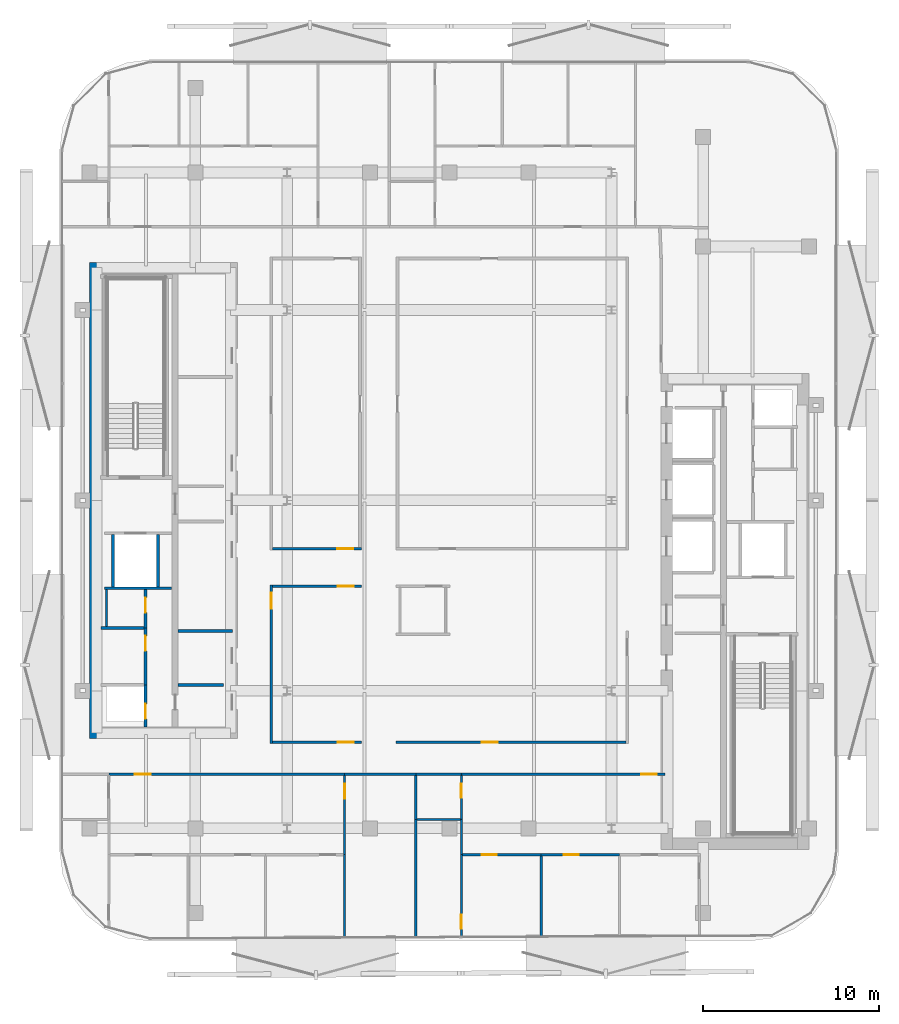
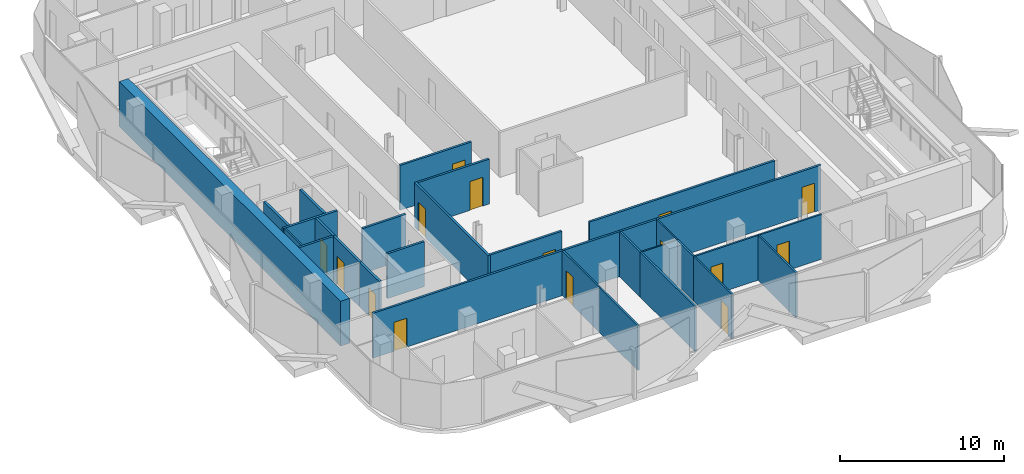
# One storey, part 3 of 14: 31 walls, 15 doors, 15 openings.
"""IFC4 building model written with IfcOpenShell, lengths in metres."""

from ifc_helpers import new_model, si_unit, direction, frame, frame_2d, origin, place, context, subcontext, project, spatial, rectangle, extrude, material, layer, layer_set, type_object, element, fill, save


model = new_model("IFC4")

# Units and contexts
model_context = context("Model", 3, precision=1e-05, world=origin(), true_north=direction((0.0, 1.0)))
body_context = subcontext(model_context, "Body", "Model", "MODEL_VIEW")
ifc_project = project(units=[si_unit("LENGTHUNIT", "METRE"), si_unit("AREAUNIT", "SQUARE_METRE"), si_unit("VOLUMEUNIT", "CUBIC_METRE"), si_unit("PLANEANGLEUNIT", "RADIAN"), si_unit("MASSUNIT", "GRAM", prefix="KILO")], contexts=[model_context])

# Site, building, storey
site_placement = place(None, origin())
site = spatial("IfcSite", under=ifc_project, at=site_placement, CompositionType="ELEMENT")
building_placement = place(site_placement, origin())
building = spatial("IfcBuilding", under=site, at=building_placement, Name="Khairoan Windgate Tower", CompositionType="ELEMENT")
storey_placement = place(building_placement, frame((0.0, 0.0, 229.60009765625)))
storey = spatial("IfcBuildingStorey", under=building, at=storey_placement, Name="L53", CompositionType="ELEMENT", Elevation=229.60009765625)

# Wall
ifc_material_1 = material(Name="Moisture-Resistant Gypsum Partition", Category="gypsum")
ifc_layer_1 = layer(ifc_material_1, 0.10009765625, Name="Moisture-Resistant Gypsum Partition")
ifc_layer_set_1 = layer_set([ifc_layer_1], Name="Moisture-Resistant Gypsum Partition")
wall_type_1 = type_object("IfcWallType", Name="Bathroom Wet-Area Partition Wall", PredefinedType="PARTITIONING", material=ifc_layer_set_1)
wall_1_placement = place(storey_placement, frame((-1.830078125, -18.10009765625, 0.0), z_axis=(0.0, 0.0, 1.0), x_axis=(1.0, 0.0, 0.0)))
element("IfcWall", 1, at=wall_1_placement, inside=storey, type_object=wall_type_1, Name="L53 Interior Partition 078", PredefinedType="PARTITIONING", context=body_context, shape_type="SweptSolid", body=[
    extrude(rectangle(XDim=2.469970703125, YDim=0.10009765625, at=frame_2d((1.23486328125, 0.0))), origin(), (0.0, 0.0, 1.0), 3.33984375),
])

# Wall, opening, door
wall_2_placement = place(storey_placement, frame((0.68994140625, -18.10009765625, 0.0), z_axis=(0.0, 0.0, 1.0), x_axis=(0.0, 1.0, 0.0)))
wall_2 = element("IfcWall", 2, at=wall_2_placement, inside=storey, type_object=wall_type_1, Name="L53 Interior Partition 079", PredefinedType="PARTITIONING", context=body_context, shape_type="SweptSolid", body=[
    extrude(rectangle(XDim=2.5, YDim=0.10009765625, at=frame_2d((1.25, 0.0))), origin(), (0.0, 0.0, 1.0), 3.33984375),
])
opening_1_placement = place(wall_2_placement, frame((1.239990234375, 0.0, 0.0)))
opening_1 = element("IfcOpeningElement", 3, at=opening_1_placement, cuts=wall_2, Name="Opening ID-BTH", PredefinedType="OPENING", context=body_context, shape_type="SweptSolid", body=[
    extrude(rectangle(XDim=0.800048828125, YDim=2.10009765625, at=frame_2d((0.39990234375, 1.050048828125))), frame((0.0, 0.06005859375, 0.0), z_axis=(0.0, -1.0, 0.0), x_axis=(1.0, 0.0, 0.0)), (0.0, 0.0, 1.0), 0.1201171875),
])
ifc_material_2 = material(Name="Teak Veneer Timber Leaf", Category="wood")
door_type_1 = type_object("IfcDoorType", Name="Internal Bathroom Door ID-BTH 800x2100", OperationType="NOTDEFINED", PredefinedType="DOOR", material=ifc_material_2)
door_1_placement = place(opening_1_placement, origin())
door_1 = element("IfcDoor", 4, at=door_1_placement, inside=storey, type_object=door_type_1, Name="L53 L53-54-L53-56 Door", OperationType="SINGLE_SWING_RIGHT", OverallHeight=2.10009765625, OverallWidth=0.800048828125, PredefinedType="DOOR", context=body_context, shape_type="SweptSolid", body=[
    extrude(rectangle(XDim=0.800048828125, YDim=2.10009765625, at=frame_2d((0.39990234375, 1.050048828125))), frame((0.0, 0.02490234375, 0.0), z_axis=(0.0, -1.0, 0.0), x_axis=(1.0, 0.0, 0.0)), (0.0, 0.0, 1.0), 0.050048828125),
])
fill(opening_1, door_1)

# Walls
wall_3_placement = place(storey_placement, frame((-19.449951171875, -7.14990234375, 0.0), z_axis=(0.0, 0.0, 1.0), x_axis=(0.0, 1.0, 0.0)))
element("IfcWall", 5, at=wall_3_placement, inside=storey, type_object=wall_type_1, Name="L53 Wet Room Side Wall 089", PredefinedType="PARTITIONING", context=body_context, shape_type="SweptSolid", body=[
    extrude(rectangle(XDim=2.08984375, YDim=0.10009765625, at=frame_2d((1.044921875, 0.0))), origin(), (0.0, 0.0, 1.0), 3.33984375),
])
ifc_material_3 = material(Name="Concrete C40/50", Category="concrete")
ifc_layer_2 = layer(ifc_material_3, 0.159912109375, Name="Concrete C40/50")
ifc_layer_set_2 = layer_set([ifc_layer_2], Name="Concrete C40/50")
wall_type_2 = type_object("IfcWallType", Name="Core and Hoistway Enclosure Wall", PredefinedType="STANDARD", material=ifc_layer_set_2)
wall_4_placement = place(storey_placement, frame((-19.550048828125, -4.97998046875, 0.0), z_axis=(0.0, 0.0, 1.0), x_axis=(1.0, 0.0, 0.0)))
element("IfcWall", 6, at=wall_4_placement, inside=storey, type_object=wall_type_2, Name="L53 Core Shaft Wall SW-FL2B-L53", PredefinedType="STANDARD", context=body_context, shape_type="SweptSolid", body=[
    extrude(rectangle(XDim=3.800048828125, YDim=0.159912109375, at=frame_2d((1.89990234375, 0.0))), origin(), (0.0, 0.0, 1.0), 3.33984375),
])
for number, where, z_axis, x_axis, name in (
    (7, (-19.080078125, -4.89990234375, 0.0), (0.0, 0.0, 1.0), (0.0, 1.0, 0.0), "L53 Core Shaft Wall SW-FL2W-L53"),
    (8, (-16.52001953125, -4.89990234375, 0.0), (0.0, 0.0, 1.0), (0.0, 1.0, 0.0), "L53 Core Shaft Wall SW-FL2E-L53"),
):
    element("IfcWall", number, at=place(storey_placement, frame(where, z_axis=z_axis, x_axis=x_axis)), inside=storey, type_object=wall_type_2, Name=name, PredefinedType="STANDARD", context=body_context, shape_type="SweptSolid", body=[
        extrude(rectangle(XDim=2.9599609375, YDim=0.159912109375, at=frame_2d((1.47998046875, 0.0))), origin(), (0.0, 0.0, 1.0), 3.33984375),
    ])
wall_5_placement = place(storey_placement, frame((-15.39990234375, -10.47998046875, 0.0), z_axis=(0.0, 0.0, 1.0), x_axis=(1.0, 0.0, 0.0)))
element("IfcWall", 9, at=wall_5_placement, inside=storey, type_object=wall_type_2, Name="L53 Core Shaft Wall SW-WSV-L53", PredefinedType="STANDARD", context=body_context, shape_type="SweptSolid", body=[
    extrude(rectangle(XDim=2.599853515625, YDim=0.159912109375, at=frame_2d((1.2998046875, 0.0))), origin(), (0.0, 0.0, 1.0), 3.33984375),
])
ifc_material_4 = material(Name="Acoustic Fire-Rated Gypsum Partition", Category="gypsum")
ifc_layer_3 = layer(ifc_material_4, 0.139892578125, Name="Acoustic Fire-Rated Gypsum Partition")
ifc_layer_set_3 = layer_set([ifc_layer_3], Name="Acoustic Fire-Rated Gypsum Partition")
wall_type_3 = type_object("IfcWallType", Name="Inter-Tenancy Compartment Wall", PredefinedType="PARTITIONING", material=ifc_layer_set_3)
wall_6_placement = place(storey_placement, frame((-1.89990234375, -18.10009765625, 0.0), z_axis=(0.0, 0.0, 1.0), x_axis=(0.0, 1.0, 0.0)))
element("IfcWall", 10, at=wall_6_placement, inside=storey, type_object=wall_type_3, Name="L53 Interior Partition 074", PredefinedType="PARTITIONING", context=body_context, shape_type="SweptSolid", body=[
    extrude(rectangle(XDim=2.5, YDim=0.139892578125, at=frame_2d((1.25, 0.0))), origin(), (0.0, 0.0, 1.0), 3.33984375),
])
wall_7_placement = place(storey_placement, frame((-1.89990234375, -24.7822265625, 0.0), z_axis=(0.0, 0.0, 1.0), x_axis=(0.0, 1.0, 0.0)))
element("IfcWall", 11, at=wall_7_placement, inside=storey, type_object=wall_type_3, Name="L53 Interior Partition 075", PredefinedType="PARTITIONING", context=body_context, shape_type="SweptSolid", body=[
    extrude(rectangle(XDim=6.68212890625, YDim=0.139892578125, at=frame_2d((3.341064453125, 0.0))), origin(), (0.0, 0.0, 1.0), 3.33984375),
])

# Wall, opening, door
ifc_material_5 = material(Name="Gypsum Stud Partition", Category="gypsum")
ifc_layer_4 = layer(ifc_material_5, 0.1201171875, Name="Gypsum Stud Partition")
ifc_layer_set_4 = layer_set([ifc_layer_4], Name="Gypsum Stud Partition")
wall_type_4 = type_object("IfcWallType", Name="Internal Room Partition Wall", PredefinedType="PARTITIONING", material=ifc_layer_set_4)
wall_8_placement = place(storey_placement, frame((-5.93994140625, -20.10009765625, 0.0), z_axis=(0.0, 0.0, 1.0), x_axis=(0.0, 1.0, 0.0)))
wall_8 = element("IfcWall", 12, at=wall_8_placement, inside=storey, type_object=wall_type_4, Name="L53 Interior Partition 069", PredefinedType="PARTITIONING", context=body_context, shape_type="SweptSolid", body=[
    extrude(rectangle(XDim=4.5, YDim=0.1201171875, at=frame_2d((2.25, 0.0))), origin(), (0.0, 0.0, 1.0), 3.33984375),
])
opening_2_placement = place(wall_8_placement, frame((3.179931640625, 0.0, 0.0)))
opening_2 = element("IfcOpeningElement", 13, at=opening_2_placement, cuts=wall_8, Name="Opening ID-RM", PredefinedType="OPENING", context=body_context, shape_type="SweptSolid", body=[
    extrude(rectangle(XDim=0.860107421875, YDim=2.14990234375, at=frame_2d((0.43017578125, 1.074951171875))), frame((0.0, 0.070068359375, 0.0), z_axis=(0.0, -1.0, 0.0), x_axis=(1.0, 0.0, 0.0)), (0.0, 0.0, 1.0), 0.14013671875),
])
ifc_material_6 = material(Name="Teak Veneer Timber Leaf", Category="wood")
door_type_2 = type_object("IfcDoorType", Name="Internal Bedroom and Office Door ID-RM 860x2150", OperationType="NOTDEFINED", PredefinedType="DOOR", material=ifc_material_6)
door_2_placement = place(opening_2_placement, origin())
door_2 = element("IfcDoor", 14, at=door_2_placement, inside=storey, type_object=door_type_2, Name="L53 L53-49-L53-50 Door", OperationType="SINGLE_SWING_RIGHT", OverallHeight=2.14990234375, OverallWidth=0.860107421875, PredefinedType="DOOR", context=body_context, shape_type="SweptSolid", body=[
    extrude(rectangle(XDim=0.860107421875, YDim=2.14990234375, at=frame_2d((0.43017578125, 1.074951171875))), frame((0.0, 0.02490234375, 0.0), z_axis=(0.0, -1.0, 0.0), x_axis=(1.0, 0.0, 0.0)), (0.0, 0.0, 1.0), 0.050048828125),
])
fill(opening_2, door_2)

# Walls
wall_9_placement = place(storey_placement, frame((-5.93994140625, -24.8017578125, 0.0), z_axis=(0.0, 0.0, 1.0), x_axis=(0.0, 1.0, 0.0)))
element("IfcWall", 15, at=wall_9_placement, inside=storey, type_object=wall_type_4, Name="L53 Interior Partition 073", PredefinedType="PARTITIONING", context=body_context, shape_type="SweptSolid", body=[
    extrude(rectangle(XDim=4.70166015625, YDim=0.1201171875, at=frame_2d((2.350830078125, 0.0))), origin(), (0.0, 0.0, 1.0), 3.33984375),
])
wall_10_placement = place(storey_placement, frame((0.68994140625, -20.10009765625, 0.0), z_axis=(0.0, 0.0, 1.0), x_axis=(0.0, 1.0, 0.0)))
element("IfcWall", 16, at=wall_10_placement, inside=storey, type_object=wall_type_4, Name="L53 Interior Partition 080", PredefinedType="PARTITIONING", context=body_context, shape_type="SweptSolid", body=[
    extrude(rectangle(XDim=2.0, YDim=0.1201171875, at=frame_2d((1.0, 0.0))), origin(), (0.0, 0.0, 1.0), 3.33984375),
])

# Wall, opening, door
wall_11_placement = place(storey_placement, frame((0.68994140625, -24.769775390625, 0.0), z_axis=(0.0, 0.0, 1.0), x_axis=(0.0, 1.0, 0.0)))
wall_11 = element("IfcWall", 17, at=wall_11_placement, inside=storey, type_object=wall_type_4, Name="L53 Interior Partition 081", PredefinedType="PARTITIONING", context=body_context, shape_type="SweptSolid", body=[
    extrude(rectangle(XDim=4.669677734375, YDim=0.1201171875, at=frame_2d((2.3349609375, 0.0))), origin(), (0.0, 0.0, 1.0), 3.33984375),
])
opening_3_placement = place(wall_11_placement, frame((0.4599609375, 0.0, 0.0)))
opening_3 = element("IfcOpeningElement", 18, at=opening_3_placement, cuts=wall_11, Name="Opening ID-BTH", PredefinedType="OPENING", context=body_context, shape_type="SweptSolid", body=[
    extrude(rectangle(XDim=0.800048828125, YDim=2.10009765625, at=frame_2d((0.39990234375, 1.050048828125))), frame((0.0, 0.070068359375, 0.0), z_axis=(0.0, -1.0, 0.0), x_axis=(1.0, 0.0, 0.0)), (0.0, 0.0, 1.0), 0.14013671875),
])
door_3_placement = place(opening_3_placement, origin())
door_3 = element("IfcDoor", 19, at=door_3_placement, inside=storey, type_object=door_type_1, Name="L53 L53-55-L53-58 Door", OperationType="SINGLE_SWING_RIGHT", OverallHeight=2.10009765625, OverallWidth=0.800048828125, PredefinedType="DOOR", context=body_context, shape_type="SweptSolid", body=[
    extrude(rectangle(XDim=0.800048828125, YDim=2.10009765625, at=frame_2d((0.39990234375, 1.050048828125))), frame((0.0, 0.02490234375, 0.0), z_axis=(0.0, -1.0, 0.0), x_axis=(1.0, 0.0, 0.0)), (0.0, 0.0, 1.0), 0.050048828125),
])
fill(opening_3, door_3)

wall_12_placement = place(storey_placement, frame((0.75, -20.10009765625, 0.0), z_axis=(0.0, 0.0, 1.0), x_axis=(1.0, 0.0, 0.0)))
wall_12 = element("IfcWall", 20, at=wall_12_placement, inside=storey, type_object=wall_type_4, Name="L53 Interior Partition 082", PredefinedType="PARTITIONING", context=body_context, shape_type="SweptSolid", body=[
    extrude(rectangle(XDim=4.467041015625, YDim=0.1201171875, at=frame_2d((2.2333984375, 0.0))), origin(), (0.0, 0.0, 1.0), 3.33984375),
])
opening_4_placement = place(wall_12_placement, frame((1.080078125, 0.0, 0.0)))
opening_4 = element("IfcOpeningElement", 21, at=opening_4_placement, cuts=wall_12, Name="Opening ID-RM", PredefinedType="OPENING", context=body_context, shape_type="SweptSolid", body=[
    extrude(rectangle(XDim=0.860107421875, YDim=2.14990234375, at=frame_2d((0.43017578125, 1.074951171875))), frame((0.0, 0.070068359375, 0.0), z_axis=(0.0, -1.0, 0.0), x_axis=(1.0, 0.0, 0.0)), (0.0, 0.0, 1.0), 0.14013671875),
])
door_4_placement = place(opening_4_placement, origin())
door_4 = element("IfcDoor", 22, at=door_4_placement, inside=storey, type_object=door_type_2, Name="L53 L53-56-L53-58 Door", OperationType="SINGLE_SWING_RIGHT", OverallHeight=2.14990234375, OverallWidth=0.860107421875, PredefinedType="DOOR", context=body_context, shape_type="SweptSolid", body=[
    extrude(rectangle(XDim=0.860107421875, YDim=2.14990234375, at=frame_2d((0.43017578125, 1.074951171875))), frame((0.0, 0.02490234375, 0.0), z_axis=(0.0, -1.0, 0.0), x_axis=(1.0, 0.0, 0.0)), (0.0, 0.0, 1.0), 0.050048828125),
])
fill(opening_4, door_4)

wall_13_placement = place(storey_placement, frame((5.217041015625, -20.10009765625, 0.0), z_axis=(0.0, 0.0, 1.0), x_axis=(1.0, 0.0, 0.0)))
wall_13 = element("IfcWall", 23, at=wall_13_placement, inside=storey, type_object=wall_type_4, Name="L53 Interior Partition 083", PredefinedType="PARTITIONING", context=body_context, shape_type="SweptSolid", body=[
    extrude(rectangle(XDim=4.446044921875, YDim=0.1201171875, at=frame_2d((2.22314453125, 0.0))), origin(), (0.0, 0.0, 1.0), 3.33984375),
])
opening_5_placement = place(wall_13_placement, frame((1.2802734375, 0.0, 0.0)))
opening_5 = element("IfcOpeningElement", 24, at=opening_5_placement, cuts=wall_13, Name="Opening ID-RM", PredefinedType="OPENING", context=body_context, shape_type="SweptSolid", body=[
    extrude(rectangle(XDim=0.860107421875, YDim=2.14990234375, at=frame_2d((0.43017578125, 1.074951171875))), frame((0.0, 0.070068359375, 0.0), z_axis=(0.0, -1.0, 0.0), x_axis=(1.0, 0.0, 0.0)), (0.0, 0.0, 1.0), 0.14013671875),
])
door_5_placement = place(opening_5_placement, origin())
door_5 = element("IfcDoor", 25, at=door_5_placement, inside=storey, type_object=door_type_2, Name="L53 L53-56-L53-59 Door", OperationType="SINGLE_SWING_LEFT", OverallHeight=2.14990234375, OverallWidth=0.860107421875, PredefinedType="DOOR", context=body_context, shape_type="SweptSolid", body=[
    extrude(rectangle(XDim=0.860107421875, YDim=2.14990234375, at=frame_2d((0.43017578125, 1.074951171875))), frame((0.0, 0.02490234375, 0.0), z_axis=(0.0, -1.0, 0.0), x_axis=(1.0, 0.0, 0.0)), (0.0, 0.0, 1.0), 0.050048828125),
])
fill(opening_5, door_5)

# Wall
wall_14_placement = place(storey_placement, frame((5.217041015625, -24.747802734375, 0.0), z_axis=(0.0, 0.0, 1.0), x_axis=(0.0, 1.0, 0.0)))
element("IfcWall", 26, at=wall_14_placement, inside=storey, type_object=wall_type_4, Name="L53 Interior Partition 086", PredefinedType="PARTITIONING", context=body_context, shape_type="SweptSolid", body=[
    extrude(rectangle(XDim=4.587890625, YDim=0.1201171875, at=frame_2d((2.2939453125, 0.0))), origin(), (0.0, 0.0, 1.0), 3.33984375),
])

# Wall, opening, door
ifc_material_7 = material(Name="Concrete C40/50", Category="concrete")
ifc_layer_5 = layer(ifc_material_7, 0.159912109375, Name="Concrete C40/50")
ifc_layer_set_5 = layer_set([ifc_layer_5], Name="Concrete C40/50")
wall_type_5 = type_object("IfcWallType", Name="Plant and Refuge Compartment Wall", PredefinedType="PARTITIONING", material=ifc_layer_set_5)
wall_15_placement = place(storey_placement, frame((-17.22998046875, -12.85009765625, 0.0), z_axis=(0.0, 0.0, 1.0), x_axis=(0.0, 1.0, 0.0)))
wall_15 = element("IfcWall", 27, at=wall_15_placement, inside=storey, type_object=wall_type_5, Name="L53 Interior Partition 001", PredefinedType="PARTITIONING", context=body_context, shape_type="SweptSolid", body=[
    extrude(rectangle(XDim=2.380126953125, YDim=0.159912109375, at=frame_2d((1.18994140625, 0.0))), origin(), (0.0, 0.0, 1.0), 3.33984375),
])
opening_6_placement = place(wall_15_placement, frame((0.4599609375, 0.0, 0.0)))
opening_6 = element("IfcOpeningElement", 28, at=opening_6_placement, cuts=wall_15, Name="Opening FD-SRV", PredefinedType="OPENING", context=body_context, shape_type="SweptSolid", body=[
    extrude(rectangle(XDim=0.85009765625, YDim=2.10009765625, at=frame_2d((0.425048828125, 1.050048828125))), frame((0.0, 0.08984375, 0.0), z_axis=(0.0, -1.0, 0.0), x_axis=(1.0, 0.0, 0.0)), (0.0, 0.0, 1.0), 0.179931640625),
])
ifc_material_8 = material(Name="Steel S355", Category="steel")
door_type_3 = type_object("IfcDoorType", Name="Core Service and Riser Fire Door FD-SRV 850x2100", OperationType="NOTDEFINED", PredefinedType="DOOR", material=ifc_material_8)
door_6_placement = place(opening_6_placement, origin())
door_6 = element("IfcDoor", 29, at=door_6_placement, inside=storey, type_object=door_type_3, Name="L53 L53-04-L53-05 Door", OperationType="SINGLE_SWING_RIGHT", OverallHeight=2.10009765625, OverallWidth=0.85009765625, PredefinedType="DOOR", context=body_context, shape_type="SweptSolid", body=[
    extrude(rectangle(XDim=0.85009765625, YDim=2.10009765625, at=frame_2d((0.425048828125, 1.050048828125))), frame((0.0, 0.02490234375, 0.0), z_axis=(0.0, -1.0, 0.0), x_axis=(1.0, 0.0, 0.0)), (0.0, 0.0, 1.0), 0.050048828125),
])
fill(opening_6, door_6)

wall_16_placement = place(storey_placement, frame((-17.22998046875, -7.22998046875, 0.0), z_axis=(0.0, 0.0, 1.0), x_axis=(0.0, 1.0, 0.0)))
wall_16 = element("IfcWall", 30, at=wall_16_placement, inside=storey, type_object=wall_type_5, Name="L53 Interior Partition 002", PredefinedType="PARTITIONING", context=body_context, shape_type="SweptSolid", body=[
    extrude(rectangle(XDim=2.169921875, YDim=0.159912109375, at=frame_2d((1.0849609375, 0.0))), origin(), (0.0, 0.0, 1.0), 3.33984375),
])
opening_7_placement = place(wall_16_placement, frame((0.860107421875, 0.0, 0.0)))
opening_7 = element("IfcOpeningElement", 31, at=opening_7_placement, cuts=wall_16, Name="Opening FD-SRV", PredefinedType="OPENING", context=body_context, shape_type="SweptSolid", body=[
    extrude(rectangle(XDim=0.85009765625, YDim=2.10009765625, at=frame_2d((0.425048828125, 1.050048828125))), frame((0.0, 0.08984375, 0.0), z_axis=(0.0, -1.0, 0.0), x_axis=(1.0, 0.0, 0.0)), (0.0, 0.0, 1.0), 0.179931640625),
])
door_7_placement = place(opening_7_placement, origin())
door_7 = element("IfcDoor", 32, at=door_7_placement, inside=storey, type_object=door_type_3, Name="L53 L53-04-L53-06 Door", OperationType="SINGLE_SWING_LEFT", OverallHeight=2.10009765625, OverallWidth=0.85009765625, PredefinedType="DOOR", context=body_context, shape_type="SweptSolid", body=[
    extrude(rectangle(XDim=0.85009765625, YDim=2.10009765625, at=frame_2d((0.425048828125, 1.050048828125))), frame((0.0, 0.02490234375, 0.0), z_axis=(0.0, -1.0, 0.0), x_axis=(1.0, 0.0, 0.0)), (0.0, 0.0, 1.0), 0.050048828125),
])
fill(opening_7, door_7)

wall_17_placement = place(storey_placement, frame((-17.22998046875, -10.469970703125, 0.0), z_axis=(0.0, 0.0, 1.0), x_axis=(0.0, 1.0, 0.0)))
wall_17 = element("IfcWall", 33, at=wall_17_placement, inside=storey, type_object=wall_type_5, Name="L53 Interior Partition 003", PredefinedType="PARTITIONING", context=body_context, shape_type="SweptSolid", body=[
    extrude(rectangle(XDim=3.239990234375, YDim=0.159912109375, at=frame_2d((1.6201171875, 0.0))), origin(), (0.0, 0.0, 1.0), 3.33984375),
])
opening_8_placement = place(wall_17_placement, frame((1.929931640625, 0.0, 0.0)))
opening_8 = element("IfcOpeningElement", 34, at=opening_8_placement, cuts=wall_17, Name="Opening FD-SRV", PredefinedType="OPENING", context=body_context, shape_type="SweptSolid", body=[
    extrude(rectangle(XDim=0.85009765625, YDim=2.10009765625, at=frame_2d((0.425048828125, 1.050048828125))), frame((0.0, 0.08984375, 0.0), z_axis=(0.0, -1.0, 0.0), x_axis=(1.0, 0.0, 0.0)), (0.0, 0.0, 1.0), 0.179931640625),
])
door_8_placement = place(opening_8_placement, origin())
door_8 = element("IfcDoor", 35, at=door_8_placement, inside=storey, type_object=door_type_3, Name="L53 L53-04-L53-07 Door", OperationType="SINGLE_SWING_RIGHT", OverallHeight=2.10009765625, OverallWidth=0.85009765625, PredefinedType="DOOR", context=body_context, shape_type="SweptSolid", body=[
    extrude(rectangle(XDim=0.85009765625, YDim=2.10009765625, at=frame_2d((0.425048828125, 1.050048828125))), frame((0.0, 0.02490234375, 0.0), z_axis=(0.0, -1.0, 0.0), x_axis=(1.0, 0.0, 0.0)), (0.0, 0.0, 1.0), 0.050048828125),
])
fill(opening_8, door_8)

# Walls
wall_18_placement = place(storey_placement, frame((-19.75, -7.22998046875, 0.0), z_axis=(0.0, 0.0, 1.0), x_axis=(1.0, 0.0, 0.0)))
element("IfcWall", 36, at=wall_18_placement, inside=storey, type_object=wall_type_5, Name="L53 Interior Partition 005", PredefinedType="PARTITIONING", context=body_context, shape_type="SweptSolid", body=[
    extrude(rectangle(XDim=2.43994140625, YDim=0.159912109375, at=frame_2d((1.219970703125, 0.0))), origin(), (0.0, 0.0, 1.0), 3.33984375),
])
wall_19_placement = place(storey_placement, frame((-15.375, -7.39990234375, 0.0), z_axis=(0.0, 0.0, 1.0), x_axis=(1.0, 0.0, 0.0)))
element("IfcWall", 37, at=wall_19_placement, inside=storey, type_object=wall_type_5, Name="L53 Interior Partition 007", PredefinedType="PARTITIONING", context=body_context, shape_type="SweptSolid", body=[
    extrude(rectangle(XDim=3.06494140625, YDim=0.159912109375, at=frame_2d((1.532470703125, 0.0))), origin(), (0.0, 0.0, 1.0), 3.33984375),
])

# Wall, opening, door
ifc_material_9 = material(Name="Acoustic Fire-Rated Gypsum Partition", Category="gypsum")
ifc_layer_6 = layer(ifc_material_9, 0.14990234375, Name="Acoustic Fire-Rated Gypsum Partition")
ifc_layer_set_6 = layer_set([ifc_layer_6], Name="Acoustic Fire-Rated Gypsum Partition")
wall_type_6 = type_object("IfcWallType", Name="Rated Corridor Partition Wall", PredefinedType="PARTITIONING", material=ifc_layer_set_6)
wall_20_placement = place(storey_placement, frame((-10.10009765625, -13.794921875, 0.0), z_axis=(0.0, 0.0, 1.0), x_axis=(0.0, 1.0, 0.0)))
wall_20 = element("IfcWall", 38, at=wall_20_placement, inside=storey, type_object=wall_type_6, Name="L53 Interior Partition 014", PredefinedType="PARTITIONING", context=body_context, shape_type="SweptSolid", body=[
    extrude(rectangle(XDim=9.0048828125, YDim=0.14990234375, at=frame_2d((4.50244140625, 0.0))), origin(), (0.0, 0.0, 1.0), 3.33984375),
])
opening_9_placement = place(wall_20_placement, frame((7.64501953125, 0.0, 0.0)))
opening_9 = element("IfcOpeningElement", 39, at=opening_9_placement, cuts=wall_20, Name="Opening FD-ENT", PredefinedType="OPENING", context=body_context, shape_type="SweptSolid", body=[
    extrude(rectangle(XDim=0.89990234375, YDim=2.14990234375, at=frame_2d((0.449951171875, 1.074951171875))), frame((0.0, 0.0849609375, 0.0), z_axis=(0.0, -1.0, 0.0), x_axis=(1.0, 0.0, 0.0)), (0.0, 0.0, 1.0), 0.169921875),
])
ifc_material_10 = material(Name="Timber Fire-Rated Core", Category="wood")
door_type_4 = type_object("IfcDoorType", Name="Unit and Office Fire Entrance Door FD-ENT 900x2150", OperationType="NOTDEFINED", PredefinedType="DOOR", material=ifc_material_10)
door_9_placement = place(opening_9_placement, origin())
door_9 = element("IfcDoor", 40, at=door_9_placement, inside=storey, type_object=door_type_4, Name="L53 L53-27-L53-63 Door", OperationType="SINGLE_SWING_LEFT", OverallHeight=2.14990234375, OverallWidth=0.89990234375, PredefinedType="DOOR", context=body_context, shape_type="SweptSolid", body=[
    extrude(rectangle(XDim=0.89990234375, YDim=2.14990234375, at=frame_2d((0.449951171875, 1.074951171875))), frame((0.0, 0.02490234375, 0.0), z_axis=(0.0, -1.0, 0.0), x_axis=(1.0, 0.0, 0.0)), (0.0, 0.0, 1.0), 0.050048828125),
])
fill(opening_9, door_9)

wall_21_placement = place(storey_placement, frame((-10.02490234375, -2.735107421875, 0.0), z_axis=(0.0, 0.0, 1.0), x_axis=(1.0, 0.0, 0.0)))
wall_21 = element("IfcWall", 41, at=wall_21_placement, inside=storey, type_object=wall_type_6, Name="L53 Interior Partition 018", PredefinedType="PARTITIONING", context=body_context, shape_type="SweptSolid", body=[
    extrude(rectangle(XDim=5.034912109375, YDim=0.14990234375, at=frame_2d((2.517578125, 0.0))), origin(), (0.0, 0.0, 1.0), 3.33984375),
])
opening_10_placement = place(wall_21_placement, frame((3.675048828125, 0.0, 0.0)))
opening_10 = element("IfcOpeningElement", 42, at=opening_10_placement, cuts=wall_21, Name="Opening FD-ENT", PredefinedType="OPENING", context=body_context, shape_type="SweptSolid", body=[
    extrude(rectangle(XDim=0.89990234375, YDim=2.14990234375, at=frame_2d((0.449951171875, 1.074951171875))), frame((0.0, 0.0849609375, 0.0), z_axis=(0.0, -1.0, 0.0), x_axis=(1.0, 0.0, 0.0)), (0.0, 0.0, 1.0), 0.169921875),
])
door_10_placement = place(opening_10_placement, origin())
door_10 = element("IfcDoor", 43, at=door_10_placement, inside=storey, type_object=door_type_4, Name="L53 L53-29-L53-62 Door", OperationType="SINGLE_SWING_LEFT", OverallHeight=2.14990234375, OverallWidth=0.89990234375, PredefinedType="DOOR", context=body_context, shape_type="SweptSolid", body=[
    extrude(rectangle(XDim=0.89990234375, YDim=2.14990234375, at=frame_2d((0.449951171875, 1.074951171875))), frame((0.0, 0.02490234375, 0.0), z_axis=(0.0, -1.0, 0.0), x_axis=(1.0, 0.0, 0.0)), (0.0, 0.0, 1.0), 0.050048828125),
])
fill(opening_10, door_10)

wall_22_placement = place(storey_placement, frame((-10.02490234375, -4.864990234375, 0.0), z_axis=(0.0, 0.0, 1.0), x_axis=(1.0, 0.0, 0.0)))
wall_22 = element("IfcWall", 44, at=wall_22_placement, inside=storey, type_object=wall_type_6, Name="L53 Interior Partition 019", PredefinedType="PARTITIONING", context=body_context, shape_type="SweptSolid", body=[
    extrude(rectangle(XDim=5.054931640625, YDim=0.14990234375, at=frame_2d((2.52734375, 0.0))), origin(), (0.0, 0.0, 1.0), 3.33984375),
])
opening_11_placement = place(wall_22_placement, frame((3.695068359375, 0.0, 0.0)))
opening_11 = element("IfcOpeningElement", 45, at=opening_11_placement, cuts=wall_22, Name="Opening FD-ENT", PredefinedType="OPENING", context=body_context, shape_type="SweptSolid", body=[
    extrude(rectangle(XDim=0.89990234375, YDim=2.14990234375, at=frame_2d((0.449951171875, 1.074951171875))), frame((0.0, 0.0849609375, 0.0), z_axis=(0.0, -1.0, 0.0), x_axis=(1.0, 0.0, 0.0)), (0.0, 0.0, 1.0), 0.169921875),
])
door_11_placement = place(opening_11_placement, origin())
door_11 = element("IfcDoor", 46, at=door_11_placement, inside=storey, type_object=door_type_4, Name="L53 L53-29-L53-63 Door", OperationType="SINGLE_SWING_RIGHT", OverallHeight=2.14990234375, OverallWidth=0.89990234375, PredefinedType="DOOR", context=body_context, shape_type="SweptSolid", body=[
    extrude(rectangle(XDim=0.89990234375, YDim=2.14990234375, at=frame_2d((0.449951171875, 1.074951171875))), frame((0.0, 0.02490234375, 0.0), z_axis=(0.0, -1.0, 0.0), x_axis=(1.0, 0.0, 0.0)), (0.0, 0.0, 1.0), 0.050048828125),
])
fill(opening_11, door_11)

wall_23_placement = place(storey_placement, frame((-19.31005859375, -15.52490234375, 0.0), z_axis=(0.0, 0.0, 1.0), x_axis=(1.0, 0.0, 0.0)))
wall_23 = element("IfcWall", 47, at=wall_23_placement, inside=storey, type_object=wall_type_6, Name="L53 Interior Partition 034", PredefinedType="PARTITIONING", context=body_context, shape_type="SweptSolid", body=[
    extrude(rectangle(XDim=13.3701171875, YDim=0.14990234375, at=frame_2d((6.68505859375, 0.0))), origin(), (0.0, 0.0, 1.0), 3.33984375),
])
opening_12_placement = place(wall_23_placement, frame((1.47314453125, 0.0, 0.0)))
opening_12 = element("IfcOpeningElement", 48, at=opening_12_placement, cuts=wall_23, Name="Opening FD-ENT", PredefinedType="OPENING", context=body_context, shape_type="SweptSolid", body=[
    extrude(rectangle(XDim=0.89990234375, YDim=2.14990234375, at=frame_2d((0.449951171875, 1.074951171875))), frame((0.0, 0.0849609375, 0.0), z_axis=(0.0, -1.0, 0.0), x_axis=(1.0, 0.0, 0.0)), (0.0, 0.0, 1.0), 0.169921875),
])
door_12_placement = place(opening_12_placement, origin())
door_12 = element("IfcDoor", 49, at=door_12_placement, inside=storey, type_object=door_type_4, Name="L53 L53-32-L53-49 Door", OperationType="SINGLE_SWING_RIGHT", OverallHeight=2.14990234375, OverallWidth=0.89990234375, PredefinedType="DOOR", context=body_context, shape_type="SweptSolid", body=[
    extrude(rectangle(XDim=0.89990234375, YDim=2.14990234375, at=frame_2d((0.449951171875, 1.074951171875))), frame((0.0, 0.02490234375, 0.0), z_axis=(0.0, -1.0, 0.0), x_axis=(1.0, 0.0, 0.0)), (0.0, 0.0, 1.0), 0.050048828125),
])
fill(opening_12, door_12)

# Walls
wall_24_placement = place(storey_placement, frame((-5.93994140625, -15.52490234375, 0.0), z_axis=(0.0, 0.0, 1.0), x_axis=(1.0, 0.0, 0.0)))
element("IfcWall", 50, at=wall_24_placement, inside=storey, type_object=wall_type_6, Name="L53 Interior Partition 035", PredefinedType="PARTITIONING", context=body_context, shape_type="SweptSolid", body=[
    extrude(rectangle(XDim=4.0400390625, YDim=0.14990234375, at=frame_2d((2.02001953125, 0.0))), origin(), (0.0, 0.0, 1.0), 3.33984375),
])
wall_25_placement = place(storey_placement, frame((-1.89990234375, -15.52490234375, 0.0), z_axis=(0.0, 0.0, 1.0), x_axis=(1.0, 0.0, 0.0)))
element("IfcWall", 51, at=wall_25_placement, inside=storey, type_object=wall_type_6, Name="L53 Interior Partition 036", PredefinedType="PARTITIONING", context=body_context, shape_type="SweptSolid", body=[
    extrude(rectangle(XDim=2.58984375, YDim=0.14990234375, at=frame_2d((1.294921875, 0.0))), origin(), (0.0, 0.0, 1.0), 3.33984375),
])

# Wall, opening, door
wall_26_placement = place(storey_placement, frame((0.68994140625, -15.52490234375, 0.0), z_axis=(0.0, 0.0, 1.0), x_axis=(1.0, 0.0, 0.0)))
wall_26 = element("IfcWall", 52, at=wall_26_placement, inside=storey, type_object=wall_type_6, Name="L53 Interior Partition 037", PredefinedType="PARTITIONING", context=body_context, shape_type="SweptSolid", body=[
    extrude(rectangle(XDim=11.550048828125, YDim=0.14990234375, at=frame_2d((5.77490234375, 0.0))), origin(), (0.0, 0.0, 1.0), 3.33984375),
])
opening_13_placement = place(wall_26_placement, frame((10.18994140625, 0.0, 0.0)))
opening_13 = element("IfcOpeningElement", 53, at=opening_13_placement, cuts=wall_26, Name="Opening FD-ENT", PredefinedType="OPENING", context=body_context, shape_type="SweptSolid", body=[
    extrude(rectangle(XDim=0.89990234375, YDim=2.14990234375, at=frame_2d((0.449951171875, 1.074951171875))), frame((0.0, 0.0849609375, 0.0), z_axis=(0.0, -1.0, 0.0), x_axis=(1.0, 0.0, 0.0)), (0.0, 0.0, 1.0), 0.169921875),
])
door_13_placement = place(opening_13_placement, origin())
door_13 = element("IfcDoor", 54, at=door_13_placement, inside=storey, type_object=door_type_4, Name="L53 L53-32-L53-56 Door", OperationType="SINGLE_SWING_LEFT", OverallHeight=2.14990234375, OverallWidth=0.89990234375, PredefinedType="DOOR", context=body_context, shape_type="SweptSolid", body=[
    extrude(rectangle(XDim=0.89990234375, YDim=2.14990234375, at=frame_2d((0.449951171875, 1.074951171875))), frame((0.0, 0.02490234375, 0.0), z_axis=(0.0, -1.0, 0.0), x_axis=(1.0, 0.0, 0.0)), (0.0, 0.0, 1.0), 0.050048828125),
])
fill(opening_13, door_13)

wall_27_placement = place(storey_placement, frame((-10.02490234375, -13.719970703125, 0.0), z_axis=(0.0, 0.0, 1.0), x_axis=(1.0, 0.0, 0.0)))
wall_27 = element("IfcWall", 55, at=wall_27_placement, inside=storey, type_object=wall_type_6, Name="L53 Interior Partition 038", PredefinedType="PARTITIONING", context=body_context, shape_type="SweptSolid", body=[
    extrude(rectangle(XDim=5.054931640625, YDim=0.14990234375, at=frame_2d((2.52734375, 0.0))), origin(), (0.0, 0.0, 1.0), 3.33984375),
])
opening_14_placement = place(wall_27_placement, frame((3.695068359375, 0.0, 0.0)))
opening_14 = element("IfcOpeningElement", 56, at=opening_14_placement, cuts=wall_27, Name="Opening FD-ENT", PredefinedType="OPENING", context=body_context, shape_type="SweptSolid", body=[
    extrude(rectangle(XDim=0.89990234375, YDim=2.14990234375, at=frame_2d((0.449951171875, 1.074951171875))), frame((0.0, 0.0849609375, 0.0), z_axis=(0.0, -1.0, 0.0), x_axis=(1.0, 0.0, 0.0)), (0.0, 0.0, 1.0), 0.169921875),
])
door_14_placement = place(opening_14_placement, origin())
door_14 = element("IfcDoor", 57, at=door_14_placement, inside=storey, type_object=door_type_4, Name="L53 L53-32-L53-63 Door", OperationType="SINGLE_SWING_RIGHT", OverallHeight=2.14990234375, OverallWidth=0.89990234375, PredefinedType="DOOR", context=body_context, shape_type="SweptSolid", body=[
    extrude(rectangle(XDim=0.89990234375, YDim=2.14990234375, at=frame_2d((0.449951171875, 1.074951171875))), frame((0.0, 0.02490234375, 0.0), z_axis=(0.0, -1.0, 0.0), x_axis=(1.0, 0.0, 0.0)), (0.0, 0.0, 1.0), 0.050048828125),
])
fill(opening_14, door_14)

wall_28_placement = place(storey_placement, frame((-3.030029296875, -13.719970703125, 0.0), z_axis=(0.0, 0.0, 1.0), x_axis=(1.0, 0.0, 0.0)))
wall_28 = element("IfcWall", 58, at=wall_28_placement, inside=storey, type_object=wall_type_6, Name="L53 Interior Partition 039", PredefinedType="PARTITIONING", context=body_context, shape_type="SweptSolid", body=[
    extrude(rectangle(XDim=13.054931640625, YDim=0.14990234375, at=frame_2d((6.52734375, 0.0))), origin(), (0.0, 0.0, 1.0), 3.33984375),
])
opening_15_placement = place(wall_28_placement, frame((4.873779296875, 0.0, 0.0)))
opening_15 = element("IfcOpeningElement", 59, at=opening_15_placement, cuts=wall_28, Name="Opening FD-ENT", PredefinedType="OPENING", context=body_context, shape_type="SweptSolid", body=[
    extrude(rectangle(XDim=0.89990234375, YDim=2.14990234375, at=frame_2d((0.449951171875, 1.074951171875))), frame((0.0, 0.0849609375, 0.0), z_axis=(0.0, -1.0, 0.0), x_axis=(1.0, 0.0, 0.0)), (0.0, 0.0, 1.0), 0.169921875),
])
door_15_placement = place(opening_15_placement, origin())
door_15 = element("IfcDoor", 60, at=door_15_placement, inside=storey, type_object=door_type_4, Name="L53 L53-32-L53-66 Door", OperationType="SINGLE_SWING_LEFT", OverallHeight=2.14990234375, OverallWidth=0.89990234375, PredefinedType="DOOR", context=body_context, shape_type="SweptSolid", body=[
    extrude(rectangle(XDim=0.89990234375, YDim=2.14990234375, at=frame_2d((0.449951171875, 1.074951171875))), frame((0.0, 0.02490234375, 0.0), z_axis=(0.0, -1.0, 0.0), x_axis=(1.0, 0.0, 0.0)), (0.0, 0.0, 1.0), 0.050048828125),
])
fill(opening_15, door_15)

# Wall
ifc_material_11 = material(Name="Concrete C60/75", Category="concrete")
ifc_layer_7 = layer(ifc_material_11, 0.64990234375, Name="Concrete C60/75")
ifc_layer_set_7 = layer_set([ifc_layer_7], Name="Concrete C60/75")
wall_type_7 = type_object("IfcWallType", Name="Shear Wall CW-W2 650mm", PredefinedType="SHEAR", material=ifc_layer_set_7)
wall_29_placement = place(storey_placement, frame((-20.074951171875, -13.5, 0.0), z_axis=(0.0, 0.0, 1.0), x_axis=(0.0, 1.0, 0.0)))
element("IfcWall", 61, at=wall_29_placement, inside=storey, type_object=wall_type_7, Name="W Core West Shear Wall L53", PredefinedType="SHEAR", context=body_context, shape_type="SweptSolid", body=[
    extrude(rectangle(XDim=27.0, YDim=0.64990234375, at=frame_2d((13.5, 0.0))), origin(), (0.0, 0.0, 1.0), 3.33984375),
])

save(model, "model.ifc")
